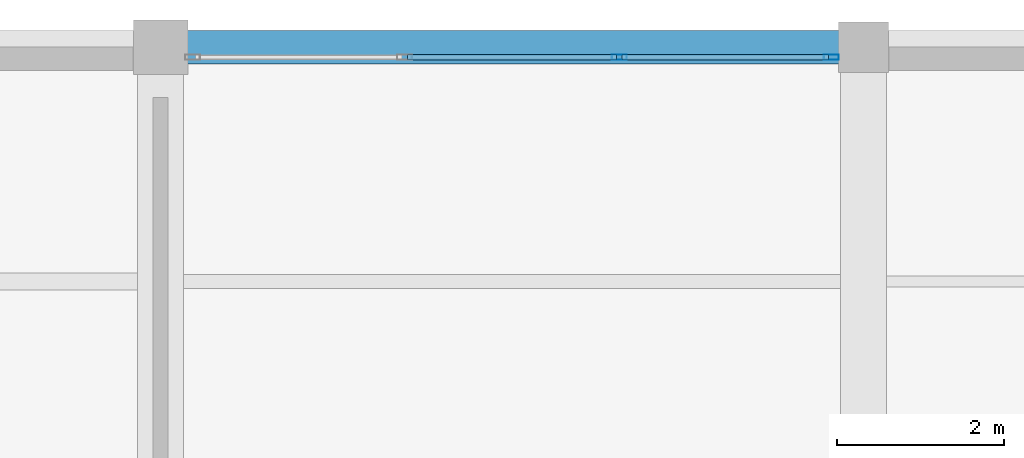
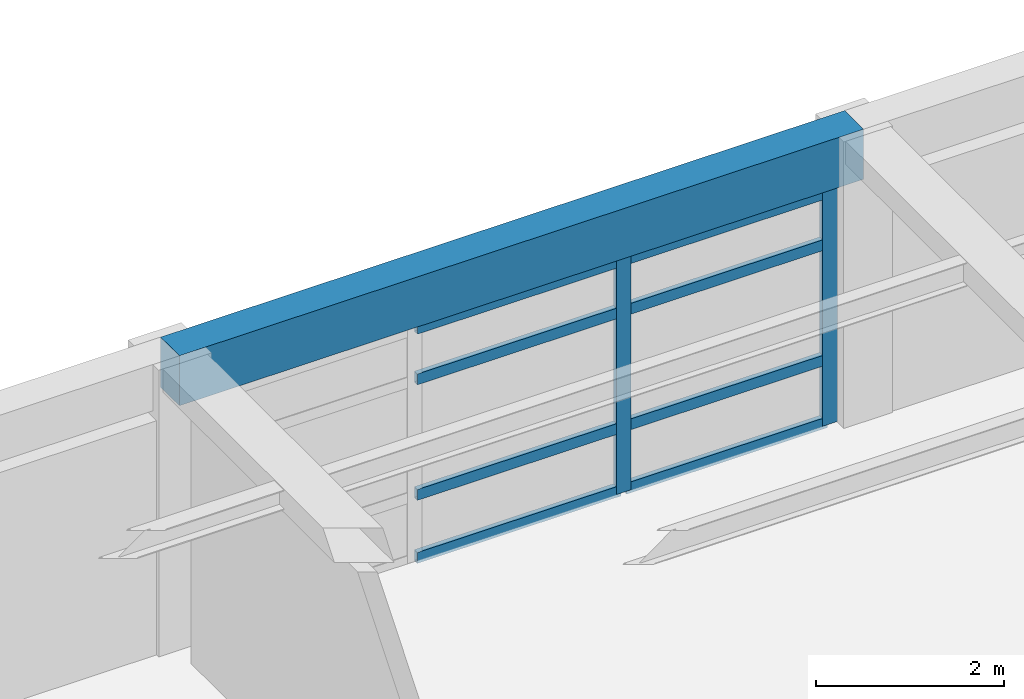
# One storey, part 19 of 26: 10 members, 1 beam, 1 element without a shape of its own.
"""IFC4 building model written with IfcOpenShell, lengths in metres."""

from ifc_helpers import new_model, si_unit, direction, frame, origin, origin_2d, place, context, subcontext, project, spatial, rectangle, hollow_rectangle, extrude, material, material_profile, profile_set, type_object, element, aggregate, save


model = new_model("IFC4")

# Units and contexts
model_context = context("Model", 3, precision=1e-05, world=origin(), true_north=direction((0.0, 1.0)))
body_context = subcontext(model_context, "Body", "Model", "MODEL_VIEW")
ifc_project = project(units=[si_unit("LENGTHUNIT", "METRE"), si_unit("AREAUNIT", "SQUARE_METRE"), si_unit("VOLUMEUNIT", "CUBIC_METRE"), si_unit("PLANEANGLEUNIT", "RADIAN"), si_unit("MASSUNIT", "GRAM", prefix="KILO")], contexts=[model_context])

# Site, building, storey
site_placement = place(None, origin())
site = spatial("IfcSite", under=ifc_project, at=site_placement, CompositionType="ELEMENT")
building_placement = place(site_placement, origin())
building = spatial("IfcBuilding", under=site, at=building_placement, Name="Almacenes y Pasaje Nevantli", CompositionType="ELEMENT")
storey_placement = place(building_placement, frame((0.0, 0.0, 54.699951171875)))
storey = spatial("IfcBuildingStorey", under=building, at=storey_placement, Name="L13", CompositionType="ELEMENT", Elevation=54.699951171875)

# Beam
ifc_material_1 = material(Name="Concrete C35/45", Category="concrete")
ifc_material_profile_1 = material_profile(ifc_material_1, rectangle(XDim=0.39990234375, YDim=0.64990234375, at=origin_2d()), Name="RC-BM-400x650")
ifc_profile_set_1 = profile_set([ifc_material_profile_1], Name="Concrete C35/45")
beam_type = type_object("IfcBeamType", Name="BM-RC-400x650", PredefinedType="SPANDREL", material=ifc_profile_set_1)
beam_placement = place(storey_placement, frame((134.39990234375, 100.800048828125, 3.39501953125), z_axis=(1.0, 0.0, 0.0), x_axis=(0.0, 1.0, 0.0)))
element("IfcBeam", 1, at=beam_placement, inside=storey, type_object=beam_type, Name="L13 East-West Reinforced Concrete Beam #3960", PredefinedType="SPANDREL", context=body_context, shape_type="SweptSolid", body=[
    extrude(rectangle(XDim=0.39990234375, YDim=0.64990234375, at=origin_2d()), origin(), (0.0, 0.0, 1.0), 8.400146484375),
])

# Curtain wall, members
ifc_material_2 = material(Name="Thermally Broken Aluminium and Low-E Glass", Category="aluminium")
curtain_wall_type = type_object("IfcCurtainWallType", Name="CW-UNIT-TOWER", PredefinedType="USERDEFINED", material=ifc_material_2)
curtain_wall_placement = place(storey_placement, origin())
curtain_wall = element("IfcCurtainWall", 2, at=curtain_wall_placement, inside=storey, type_object=curtain_wall_type, Name="L13 Tower North Boulevard Unitized Curtain Wall Bay 17", ObjectType="UNITIZED CURTAIN WALL", PredefinedType="USERDEFINED")
ifc_material_3 = material(Name="Thermally Broken Anodized Aluminium", Category="aluminium")
ifc_material_profile_2 = material_profile(ifc_material_3, hollow_rectangle(XDim=0.06494140625, YDim=0.179931640625, WallThickness=0.00390625, at=origin_2d()), Name="ALU-MUL-65x180")
ifc_profile_set_2 = profile_set([ifc_material_profile_2], Name="Thermally Broken Anodized Aluminium")
member_type_1 = type_object("IfcMemberType", Name="CW-MUL-200", PredefinedType="MULLION", material=ifc_profile_set_2)
member_1_placement = place(storey_placement, frame((139.88330078125, 100.679931640625, 0.0), z_axis=(0.0, 0.0, 1.0), x_axis=(0.0, 1.0, 0.0)))
member_1 = element("IfcMember", 3, at=member_1_placement, type_object=member_type_1, Name="CW-L13-170 mullion 3", PredefinedType="MULLION", context=body_context, shape_type="SweptSolid", body=[
    extrude(hollow_rectangle(XDim=0.06494140625, YDim=0.179931640625, WallThickness=0.00390625, at=origin_2d()), origin(), (0.0, 0.0, 1.0), 3.0400390625),
])
member_2_placement = place(storey_placement, frame((142.41748046875, 100.679931640625, 0.0), z_axis=(0.0, 0.0, 1.0), x_axis=(0.0, 1.0, 0.0)))
member_2 = element("IfcMember", 4, at=member_2_placement, type_object=member_type_1, Name="CW-L13-170 mullion 4", PredefinedType="MULLION", context=body_context, shape_type="SweptSolid", body=[
    extrude(hollow_rectangle(XDim=0.06494140625, YDim=0.179931640625, WallThickness=0.00390625, at=origin_2d()), origin(), (0.0, 0.0, 1.0), 3.0400390625),
])
ifc_material_4 = material(Name="Thermally Broken Anodized Aluminium", Category="aluminium")
ifc_material_profile_3 = material_profile(ifc_material_4, hollow_rectangle(XDim=0.06494140625, YDim=0.139892578125, WallThickness=0.00390625, at=origin_2d()), Name="ALU-TRN-65x140")
ifc_profile_set_3 = profile_set([ifc_material_profile_3], Name="Thermally Broken Anodized Aluminium")
member_type_2 = type_object("IfcMemberType", Name="CW-TRN-150", PredefinedType="USERDEFINED", material=ifc_profile_set_3)
member_3_placement = place(storey_placement, frame((137.34912109375, 100.679931640625, 0.032470703125), z_axis=(1.0, 0.0, 0.0), x_axis=(0.0, 1.0, 0.0)))
member_3 = element("IfcMember", 5, at=member_3_placement, type_object=member_type_2, Name="CW-L13-170 transom 2.1", ObjectType="TRANSOM", PredefinedType="USERDEFINED", context=body_context, shape_type="SweptSolid", body=[
    extrude(hollow_rectangle(XDim=0.06494140625, YDim=0.139892578125, WallThickness=0.00390625, at=origin_2d()), origin(), (0.0, 0.0, 1.0), 2.501708984375),
])
member_4_placement = place(storey_placement, frame((137.34912109375, 100.679931640625, 0.85009765625), z_axis=(1.0, 0.0, 0.0), x_axis=(0.0, 1.0, 0.0)))
member_4 = element("IfcMember", 6, at=member_4_placement, type_object=member_type_2, Name="CW-L13-170 transom 2.2", ObjectType="TRANSOM", PredefinedType="USERDEFINED", context=body_context, shape_type="SweptSolid", body=[
    extrude(hollow_rectangle(XDim=0.06494140625, YDim=0.139892578125, WallThickness=0.00390625, at=origin_2d()), origin(), (0.0, 0.0, 1.0), 2.501708984375),
])
member_5_placement = place(storey_placement, frame((137.34912109375, 100.679931640625, 2.35009765625), z_axis=(1.0, 0.0, 0.0), x_axis=(0.0, 1.0, 0.0)))
member_5 = element("IfcMember", 7, at=member_5_placement, type_object=member_type_2, Name="CW-L13-170 transom 2.3", ObjectType="TRANSOM", PredefinedType="USERDEFINED", context=body_context, shape_type="SweptSolid", body=[
    extrude(hollow_rectangle(XDim=0.06494140625, YDim=0.139892578125, WallThickness=0.00390625, at=origin_2d()), origin(), (0.0, 0.0, 1.0), 2.501708984375),
])
member_6_placement = place(storey_placement, frame((137.34912109375, 100.679931640625, 3.007568359375), z_axis=(1.0, 0.0, 0.0), x_axis=(0.0, 1.0, 0.0)))
member_6 = element("IfcMember", 8, at=member_6_placement, type_object=member_type_2, Name="CW-L13-170 transom 2.4", ObjectType="TRANSOM", PredefinedType="USERDEFINED", context=body_context, shape_type="SweptSolid", body=[
    extrude(hollow_rectangle(XDim=0.06494140625, YDim=0.139892578125, WallThickness=0.00390625, at=origin_2d()), origin(), (0.0, 0.0, 1.0), 2.501708984375),
])
member_7_placement = place(storey_placement, frame((139.915771484375, 100.679931640625, 0.032470703125), z_axis=(1.0, 0.0, 0.0), x_axis=(0.0, 1.0, 0.0)))
member_7 = element("IfcMember", 9, at=member_7_placement, type_object=member_type_2, Name="CW-L13-170 transom 3.1", ObjectType="TRANSOM", PredefinedType="USERDEFINED", context=body_context, shape_type="SweptSolid", body=[
    extrude(hollow_rectangle(XDim=0.06494140625, YDim=0.139892578125, WallThickness=0.00390625, at=origin_2d()), origin(), (0.0, 0.0, 1.0), 2.46923828125),
])
member_8_placement = place(storey_placement, frame((139.915771484375, 100.679931640625, 0.85009765625), z_axis=(1.0, 0.0, 0.0), x_axis=(0.0, 1.0, 0.0)))
member_8 = element("IfcMember", 10, at=member_8_placement, type_object=member_type_2, Name="CW-L13-170 transom 3.2", ObjectType="TRANSOM", PredefinedType="USERDEFINED", context=body_context, shape_type="SweptSolid", body=[
    extrude(hollow_rectangle(XDim=0.06494140625, YDim=0.139892578125, WallThickness=0.00390625, at=origin_2d()), origin(), (0.0, 0.0, 1.0), 2.46923828125),
])
member_9_placement = place(storey_placement, frame((139.915771484375, 100.679931640625, 2.35009765625), z_axis=(1.0, 0.0, 0.0), x_axis=(0.0, 1.0, 0.0)))
member_9 = element("IfcMember", 11, at=member_9_placement, type_object=member_type_2, Name="CW-L13-170 transom 3.3", ObjectType="TRANSOM", PredefinedType="USERDEFINED", context=body_context, shape_type="SweptSolid", body=[
    extrude(hollow_rectangle(XDim=0.06494140625, YDim=0.139892578125, WallThickness=0.00390625, at=origin_2d()), origin(), (0.0, 0.0, 1.0), 2.46923828125),
])
member_10_placement = place(storey_placement, frame((139.915771484375, 100.679931640625, 3.007568359375), z_axis=(1.0, 0.0, 0.0), x_axis=(0.0, 1.0, 0.0)))
member_10 = element("IfcMember", 12, at=member_10_placement, type_object=member_type_2, Name="CW-L13-170 transom 3.4", ObjectType="TRANSOM", PredefinedType="USERDEFINED", context=body_context, shape_type="SweptSolid", body=[
    extrude(hollow_rectangle(XDim=0.06494140625, YDim=0.139892578125, WallThickness=0.00390625, at=origin_2d()), origin(), (0.0, 0.0, 1.0), 2.46923828125),
])
aggregate(curtain_wall, [member_1, member_2, member_3, member_4, member_5, member_6, member_7, member_8, member_9, member_10])

save(model, "model.ifc")
